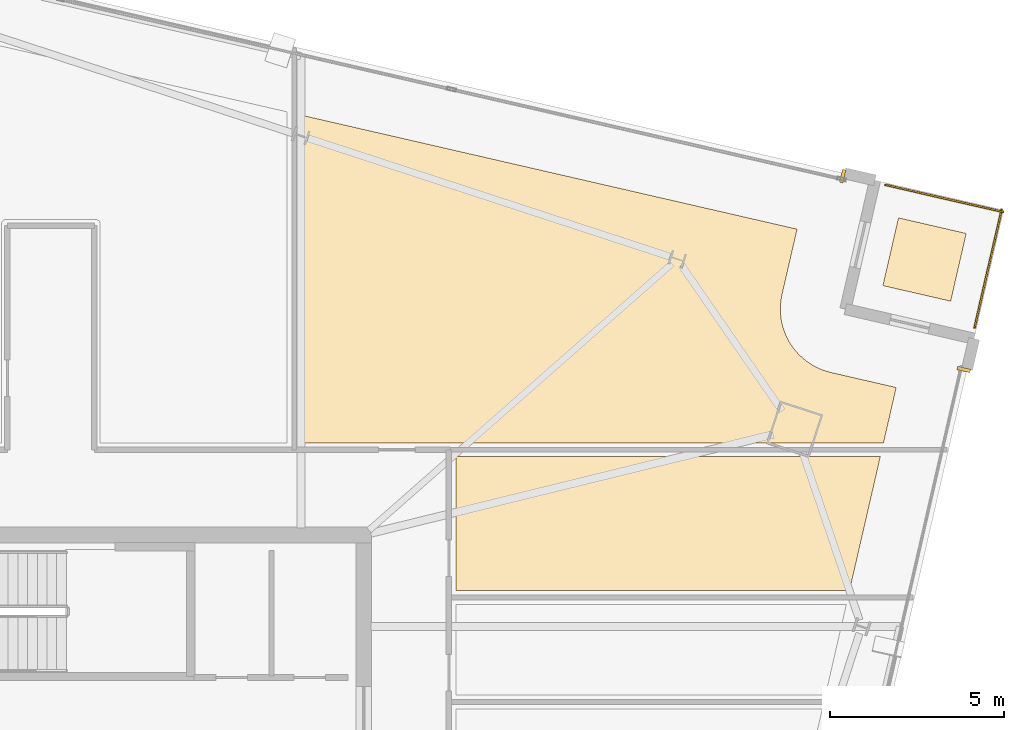
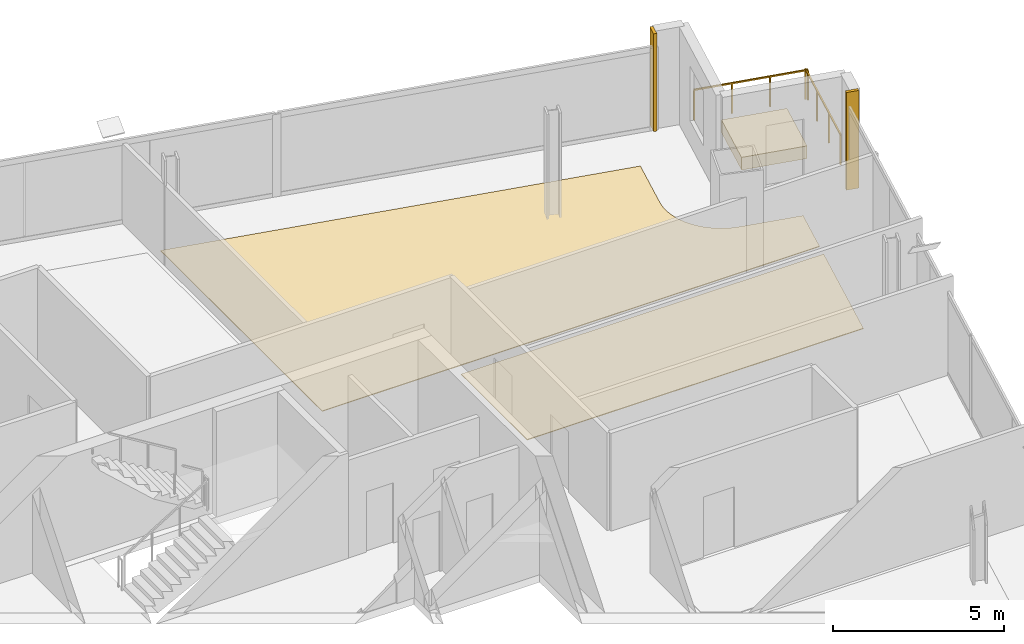
# One storey, part 28 of 28: 5 coverings, 2 railings.
"""IFC4 building model written with IfcOpenShell, lengths in metres."""

from ifc_helpers import new_model, si_unit, direction, frame, origin, origin_2d, place, context, subcontext, project, spatial, polyline, rectangle, outline, extrude, source, transform, mapped, material, layer, layer_set, type_object, element, save


model = new_model("IFC4")

# Units and contexts
model_context = context("Model", 3, precision=1e-05, world=origin(), true_north=direction((0.0, 1.0)))
body_context = subcontext(model_context, "Body", "Model", "MODEL_VIEW")
ifc_project = project(units=[si_unit("LENGTHUNIT", "METRE"), si_unit("AREAUNIT", "SQUARE_METRE"), si_unit("VOLUMEUNIT", "CUBIC_METRE"), si_unit("PLANEANGLEUNIT", "RADIAN"), si_unit("MASSUNIT", "GRAM", prefix="KILO")], contexts=[model_context])

# Site, building, storey
site_placement = place(None, origin())
site = spatial("IfcSite", under=ifc_project, at=site_placement, CompositionType="ELEMENT")
building_placement = place(site_placement, origin())
building = spatial("IfcBuilding", under=site, at=building_placement, Name="Haldenkirk Collegiate Tower", CompositionType="ELEMENT")
storey_placement = place(building_placement, frame((0.0, 0.0, 286.199951171875)))
storey = spatial("IfcBuildingStorey", under=building, at=storey_placement, Name="L72", CompositionType="ELEMENT", Elevation=286.199951171875)

# Coverings
ifc_material_1 = material(Name="Polished collegiate terrazzo", Category="concrete")
ifc_layer_1 = layer(ifc_material_1, 0.02490234375)
ifc_layer_set_1 = layer_set([ifc_layer_1], Name="Polished collegiate terrazzo")
covering_type_1 = type_object("IfcCoveringType", Name="COV-FLOOR-TERRAZZO", PredefinedType="FLOORING", material=ifc_layer_set_1)
covering_1_placement = place(storey_placement, origin())
element("IfcCovering", 1, at=covering_1_placement, inside=storey, type_object=covering_type_1, Name="L72 academic room finish 04", PredefinedType="FLOORING", context=body_context, shape_type="SweptSolid", body=[
    extrude(outline(polyline([(57.465087890625, 42.796875), (57.03271484375, 40.916015625), (57.031494140625, 40.91015625), (57.001220703125, 40.7412109375), (56.999755859375, 40.7294921875), (56.986328125, 40.55810546875), (56.98583984375, 40.54638671875), (56.9892578125, 40.374755859375), (56.989990234375, 40.363037109375), (57.01025390625, 40.1923828125), (57.01220703125, 40.180908203125), (57.048828125, 40.01318359375), (57.052001953125, 40.001708984375), (57.10498046875, 39.83837890625), (57.109130859375, 39.827392578125), (57.177978515625, 39.670166015625), (57.18310546875, 39.659423828125), (57.26708984375, 39.509521484375), (57.2734375, 39.49951171875), (57.37158203125, 39.358642578125), (57.378662109375, 39.349365234375), (57.490234375, 39.21875), (57.498291015625, 39.210205078125), (57.6220703125, 39.09130859375), (57.631103515625, 39.08349609375), (57.765869140625, 38.97705078125), (57.775390625, 38.97021484375), (57.919921875, 38.877685546875), (57.93017578125, 38.871826171875), (58.083251953125, 38.793701171875), (58.093994140625, 38.7890625), (58.25390625, 38.726318359375), (58.264892578125, 38.72265625), (58.430419921875, 38.67578125), (58.43603515625, 38.674560546875), (60.31689453125, 38.241943359375), (59.950927734375, 36.64990234375), (43.199951171875, 36.64990234375), (43.199951171875, 46.0771484375), (57.465087890625, 42.796875)])), origin(), (0.0, 0.0, 1.0), 0.025146484375),
])
covering_2_placement = place(storey_placement, origin())
element("IfcCovering", 2, at=covering_2_placement, inside=storey, type_object=covering_type_1, Name="L72 academic room finish 12", PredefinedType="FLOORING", context=body_context, shape_type="SweptSolid", body=[
    extrude(outline(polyline([(58.9736328125, 32.39990234375), (47.64990234375, 32.39990234375), (47.64990234375, 36.25), (59.85888671875, 36.25), (58.9736328125, 32.39990234375)])), origin(), (0.0, 0.0, 1.0), 0.025146484375),
])
ifc_material_2 = material(Name="Precast concrete f'c 40 MPa", Category="concrete")
ifc_layer_2 = layer(ifc_material_2, 0.449951171875)
ifc_layer_set_2 = layer_set([ifc_layer_2], Name="Precast concrete f'c 40 MPa")
covering_type_2 = type_object("IfcCoveringType", Name="COV-PLANTER-450", PredefinedType="USERDEFINED", material=ifc_layer_set_2)
covering_3_placement = place(storey_placement, origin())
element("IfcCovering", 3, at=covering_3_placement, inside=storey, type_object=covering_type_2, Name="L72 planted garden planter bed", ObjectType="PLANTER", PredefinedType="USERDEFINED", context=body_context, shape_type="SweptSolid", body=[
    extrude(outline(polyline([(61.883056640625, 40.72412109375), (59.933837890625, 41.17236328125), (60.382080078125, 43.121337890625), (62.331298828125, 42.673095703125), (61.883056640625, 40.72412109375)])), origin(), (0.0, 0.0, 1.0), 0.449951171875),
])

# Railings
ifc_material_3 = material(Name="Anodised architectural bronze aluminium", Category="aluminium")
railing_type = type_object("IfcRailingType", Name="RLG-TERR-BALUSTRADE-1100", PredefinedType="BALUSTRADE", material=ifc_material_3)
railing_1_placement = place(storey_placement, frame((62.571533203125, 39.970703125, 0.0)))
element("IfcRailing", 4, at=railing_1_placement, inside=storey, type_object=railing_type, Name="L72 terrace guard balustrade 1-1", PredefinedType="BALUSTRADE", context=body_context, shape_type="SweptSolid", body=[
    extrude(rectangle(XDim=0.048095703125, YDim=0.048095703125, at=origin_2d()), frame((0.0, 0.0, 1.076171875), z_axis=(0.224152357185, 0.974554113822, 0.0), x_axis=(-0.974554113822, 0.224152357185, 0.0)), (0.0, 0.0, 1.0), 3.47998046875),
    extrude(rectangle(XDim=0.0419921875, YDim=0.0419921875, at=origin_2d()), origin(), (0.0, 0.0, 1.0), 1.052001953125),
    extrude(rectangle(XDim=0.0419921875, YDim=0.0419921875, at=origin_2d()), frame((0.260009765625, 1.13037109375, 0.0)), (0.0, 0.0, 1.0), 1.052001953125),
    extrude(rectangle(XDim=0.0419921875, YDim=0.0419921875, at=origin_2d()), frame((0.52001953125, 2.260986328125, 0.0)), (0.0, 0.0, 1.0), 1.052001953125),
    extrude(rectangle(XDim=0.0419921875, YDim=0.0419921875, at=origin_2d()), frame((0.780029296875, 3.391357421875, 0.0)), (0.0, 0.0, 1.0), 1.052001953125),
])
railing_2_placement = place(storey_placement, frame((63.396484375, 43.2900390625, 0.0)))
element("IfcRailing", 5, at=railing_2_placement, inside=storey, type_object=railing_type, Name="L72 terrace guard balustrade 2-1", PredefinedType="BALUSTRADE", context=body_context, shape_type="SweptSolid", body=[
    extrude(rectangle(XDim=0.048095703125, YDim=0.048095703125, at=origin_2d()), frame((0.0, 0.0, 1.076171875), z_axis=(-0.974557638461, 0.224137032456, 0.0), x_axis=(-0.224137032456, -0.974557638461, 0.0)), (0.0, 0.0, 1.0), 3.480224609375),
    extrude(rectangle(XDim=0.0419921875, YDim=0.0419921875, at=origin_2d()), origin(), (0.0, 0.0, 1.0), 1.052001953125),
    extrude(rectangle(XDim=0.0419921875, YDim=0.0419921875, at=origin_2d()), frame((-1.130615234375, 0.260009765625, 0.0)), (0.0, 0.0, 1.0), 1.052001953125),
    extrude(rectangle(XDim=0.0419921875, YDim=0.0419921875, at=origin_2d()), frame((-2.260986328125, 0.52001953125, 0.0)), (0.0, 0.0, 1.0), 1.052001953125),
    extrude(rectangle(XDim=0.0419921875, YDim=0.0419921875, at=origin_2d()), frame((-3.3916015625, 0.780029296875, 0.0)), (0.0, 0.0, 1.0), 1.052001953125),
])

# Coverings
ifc_layer_3 = layer(ifc_material_3, 0.06005859375)
ifc_layer_set_3 = layer_set([ifc_layer_3], Name="Anodised architectural bronze aluminium")
covering_type_3 = type_object("IfcCoveringType", Name="COV-CLAD-BRONZE-60", PredefinedType="CLADDING", material=ifc_layer_set_3)
shared_shape = source(origin(), body_context, "Body", "SweptSolid", [
    extrude(rectangle(XDim=0.10009765625, YDim=0.3798828125, at=origin_2d()), origin(), (0.0, 0.0, 1.0), 3.47998046875),
])
for number, where, z_axis, x_axis, name in (
    (6, (62.26220703125, 38.759033203125, 0.0), (0.0, 0.0, 1.0), (-0.224100670509, -0.974566000575, 0.0), "L72 recessed curtain-wall bronze jamb closure SJL"),
    (7, (58.780029296875, 44.32080078125, 0.0), (0.0, 0.0, 1.0), (0.974566000575, -0.224100670509, 0.0), "L72 recessed curtain-wall bronze jamb closure EJR"),
):
    element("IfcCovering", number, at=place(storey_placement, frame(where, z_axis=z_axis, x_axis=x_axis)), inside=storey, type_object=covering_type_3, Name=name, PredefinedType="CLADDING", context=body_context, shape_type="MappedRepresentation", body=[
        mapped(shared_shape, transform((0.0, 0.0, 0.0), x_axis=(1.0, 0.0, 0.0), y_axis=(0.0, 1.0, 0.0), z_axis=(0.0, 0.0, 1.0), scale=1.0)),
    ])

save(model, "model.ifc")
